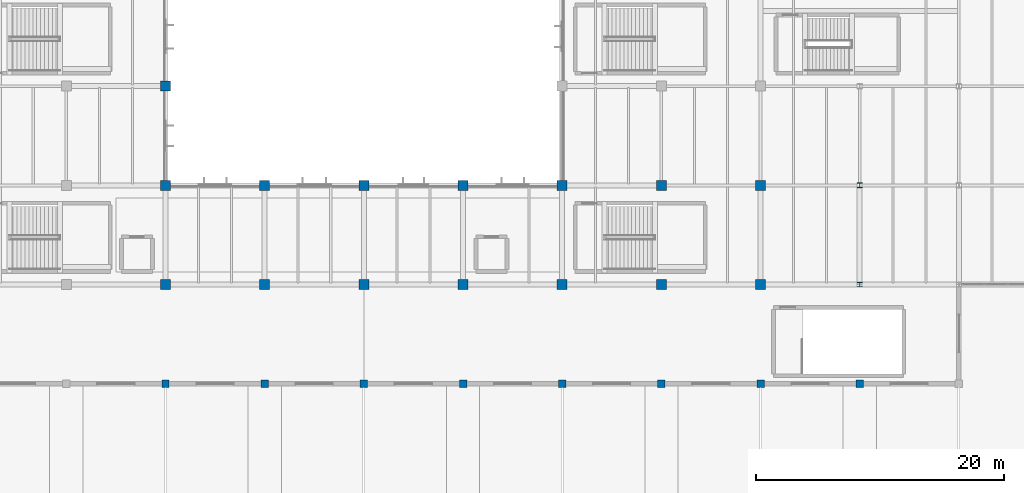
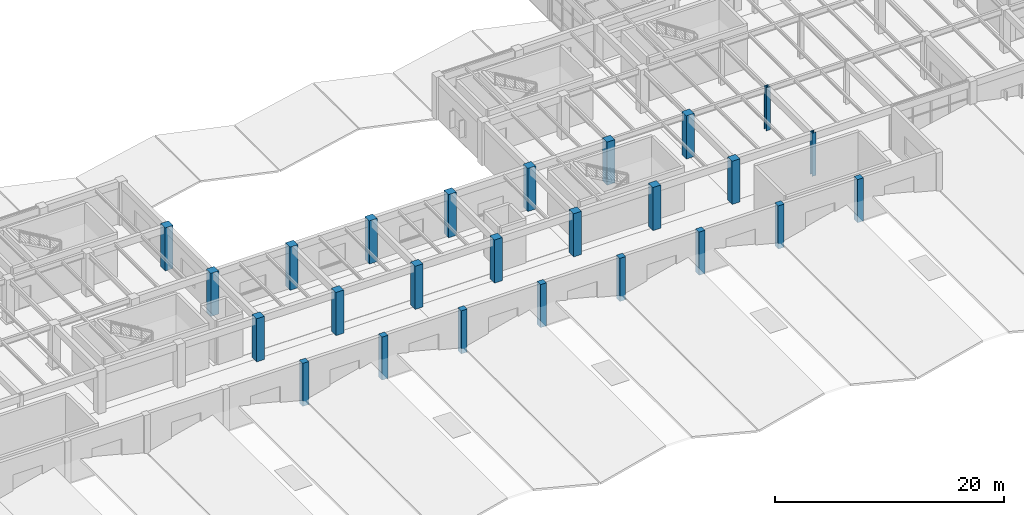
# One storey, part 3 of 60: 25 columns.
"""IFC4 building model written with IfcOpenShell, lengths in metres."""

from ifc_helpers import new_model, si_unit, direction, frame, origin, origin_2d, place, context, subcontext, project, spatial, rectangle, i_section, extrude, material, material_profile, profile_set, type_object, element, save


model = new_model("IFC4")

# Units and contexts
model_context = context("Model", 3, precision=1e-05, world=origin(), true_north=direction((0.0, 1.0)))
body_context = subcontext(model_context, "Body", "Model", "MODEL_VIEW")
ifc_project = project(units=[si_unit("LENGTHUNIT", "METRE"), si_unit("AREAUNIT", "SQUARE_METRE"), si_unit("VOLUMEUNIT", "CUBIC_METRE"), si_unit("PLANEANGLEUNIT", "RADIAN"), si_unit("MASSUNIT", "GRAM", prefix="KILO")], contexts=[model_context])

# Site, building, storey
site_placement = place(None, origin())
site = spatial("IfcSite", under=ifc_project, at=site_placement, CompositionType="ELEMENT")
building_placement = place(site_placement, origin())
building = spatial("IfcBuilding", under=site, at=building_placement, Name="Varnela Railside Interchange", CompositionType="ELEMENT")
storey_placement = place(building_placement, frame((0.0, 0.0, 6.300048828125)))
storey = spatial("IfcBuildingStorey", under=building, at=storey_placement, Name="L01", CompositionType="ELEMENT", Elevation=6.300048828125)

# Columns
ifc_material_1 = material(Name="Concrete C50", Category="concrete")
ifc_material_profile_1 = material_profile(ifc_material_1, rectangle(XDim=0.800048828125, YDim=0.800048828125, at=origin_2d()), Name="RC 800x800")
ifc_profile_set_1 = profile_set([ifc_material_profile_1], Name="Concrete C50")
column_type_1 = type_object("IfcColumnType", Name="Podium Concourse Column C-03", PredefinedType="COLUMN", material=ifc_profile_set_1)
for number, where, z_axis, x_axis, name in (
    (1, (68.0, 38.0, 0.0), (0.0, 0.0, 1.0), (1.0, 0.0, 0.0), "Column C-03 (L01) (CL-0704)"),
    (2, (68.0, 46.0, 0.0), (0.0, 0.0, 1.0), (1.0, 0.0, 0.0), "Column C-03 (L01) (CL-0705)"),
    (3, (68.0, 54.0, 0.0), (0.0, 0.0, 1.0), (1.0, 0.0, 0.0), "Column C-03 (L01) (CL-0706)"),
    (4, (76.0, 38.0, 0.0), (0.0, 0.0, 1.0), (1.0, 0.0, 0.0), "Column C-03 (L01) (CL-0576)"),
    (5, (76.0, 46.0, 0.0), (0.0, 0.0, 1.0), (1.0, 0.0, 0.0), "Column C-03 (L01) (CL-0577)"),
    (6, (84.0, 38.0, 0.0), (0.0, 0.0, 1.0), (1.0, 0.0, 0.0), "Column C-03 (L01) (CL-0579)"),
    (7, (84.0, 46.0, 0.0), (0.0, 0.0, 1.0), (1.0, 0.0, 0.0), "Column C-03 (L01) (CL-0580)"),
    (8, (92.0, 38.0, 0.0), (0.0, 0.0, 1.0), (1.0, 0.0, 0.0), "Column C-03 (L01) (CL-0582)"),
    (9, (92.0, 46.0, 0.0), (0.0, 0.0, 1.0), (1.0, 0.0, 0.0), "Column C-03 (L01) (CL-0583)"),
    (10, (100.0, 38.0, 0.0), (0.0, 0.0, 1.0), (1.0, 0.0, 0.0), "Column C-03 (L01) (CL-0585)"),
    (11, (100.0, 46.0, 0.0), (0.0, 0.0, 1.0), (1.0, 0.0, 0.0), "Column C-03 (L01) (CL-0586)"),
    (12, (108.0, 38.0, 0.0), (0.0, 0.0, 1.0), (1.0, 0.0, 0.0), "Column C-03 (L01) (CL-0590)"),
    (13, (108.0, 46.0, 0.0), (0.0, 0.0, 1.0), (1.0, 0.0, 0.0), "Column C-03 (L01) (CL-0591)"),
    (14, (116.0, 38.0, 0.0), (0.0, 0.0, 1.0), (1.0, 0.0, 0.0), "Column C-03 (L01) (CL-0595)"),
    (15, (116.0, 46.0, 0.0), (0.0, 0.0, 1.0), (1.0, 0.0, 0.0), "Column C-03 (L01) (CL-0596)"),
):
    element("IfcColumn", number, at=place(storey_placement, frame(where, z_axis=z_axis, x_axis=x_axis)), inside=storey, type_object=column_type_1, Name=name, PredefinedType="COLUMN", context=body_context, shape_type="SweptSolid", body=[
        extrude(rectangle(XDim=0.800048828125, YDim=0.800048828125, at=origin_2d()), origin(), (0.0, 0.0, 1.0), 4.599853515625),
    ])
ifc_material_profile_2 = material_profile(ifc_material_1, rectangle(XDim=0.60009765625, YDim=0.60009765625, at=origin_2d()), Name="RC 600x600")
ifc_profile_set_2 = profile_set([ifc_material_profile_2], Name="Concrete C50")
column_type_2 = type_object("IfcColumnType", Name="Podium Mezzanine Column C-01", PredefinedType="COLUMN", material=ifc_profile_set_2)
for number, where, z_axis, x_axis, name in (
    (16, (68.0, 30.0, 0.0), (0.0, 0.0, 1.0), (1.0, 0.0, 0.0), "Column C-01 (L01) (CL-0703)"),
    (17, (76.0, 30.0, 0.0), (0.0, 0.0, 1.0), (1.0, 0.0, 0.0), "Column C-01 (L01) (CL-0575)"),
    (18, (84.0, 30.0, 0.0), (0.0, 0.0, 1.0), (1.0, 0.0, 0.0), "Column C-01 (L01) (CL-0578)"),
    (19, (92.0, 30.0, 0.0), (0.0, 0.0, 1.0), (1.0, 0.0, 0.0), "Column C-01 (L01) (CL-0581)"),
    (20, (100.0, 30.0, 0.0), (0.0, 0.0, 1.0), (1.0, 0.0, 0.0), "Column C-01 (L01) (CL-0584)"),
    (21, (108.0, 30.0, 0.0), (0.0, 0.0, 1.0), (1.0, 0.0, 0.0), "Column C-01 (L01) (CL-0589)"),
    (22, (116.0, 30.0, 0.0), (0.0, 0.0, 1.0), (1.0, 0.0, 0.0), "Column C-01 (L01) (CL-0594)"),
    (23, (124.0, 30.0, 0.0), (0.0, 0.0, 1.0), (1.0, 0.0, 0.0), "Column C-01 (L01) (CL-0603)"),
):
    element("IfcColumn", number, at=place(storey_placement, frame(where, z_axis=z_axis, x_axis=x_axis)), inside=storey, type_object=column_type_2, Name=name, PredefinedType="COLUMN", context=body_context, shape_type="SweptSolid", body=[
        extrude(rectangle(XDim=0.60009765625, YDim=0.60009765625, at=origin_2d()), origin(), (0.0, 0.0, 1.0), 4.599853515625),
    ])
ifc_material_2 = material(Name="Steel AR 350 (350 MPa)", Category="steel")
ifc_material_profile_3 = material_profile(ifc_material_2, i_section(OverallWidth=0.39794921875, OverallDepth=0.386962890625, WebThickness=0.02099609375, FlangeThickness=0.033203125, at=origin_2d()), Name="W360x262")
ifc_profile_set_3 = profile_set([ifc_material_profile_3], Name="Steel AR 350 (350 MPa)")
column_type_3 = type_object("IfcColumnType", Name="Superstructure Steel Col C-16", PredefinedType="COLUMN", material=ifc_profile_set_3)
for number, where, z_axis, x_axis, name in (
    (24, (124.0, 38.0, 0.0), (0.0, 0.0, 1.0), (1.0, 0.0, 0.0), "Column C-16 (L01) (CL-0604)"),
    (25, (124.0, 46.0, 0.0), (0.0, 0.0, 1.0), (1.0, 0.0, 0.0), "Column C-16 (L01) (CL-0605)"),
):
    element("IfcColumn", number, at=place(storey_placement, frame(where, z_axis=z_axis, x_axis=x_axis)), inside=storey, type_object=column_type_3, Name=name, PredefinedType="COLUMN", context=body_context, shape_type="SweptSolid", body=[
        extrude(i_section(OverallWidth=0.39794921875, OverallDepth=0.386962890625, WebThickness=0.02099609375, FlangeThickness=0.033203125, at=origin_2d()), origin(), (0.0, 0.0, 1.0), 4.599853515625),
    ])

save(model, "model.ifc")
